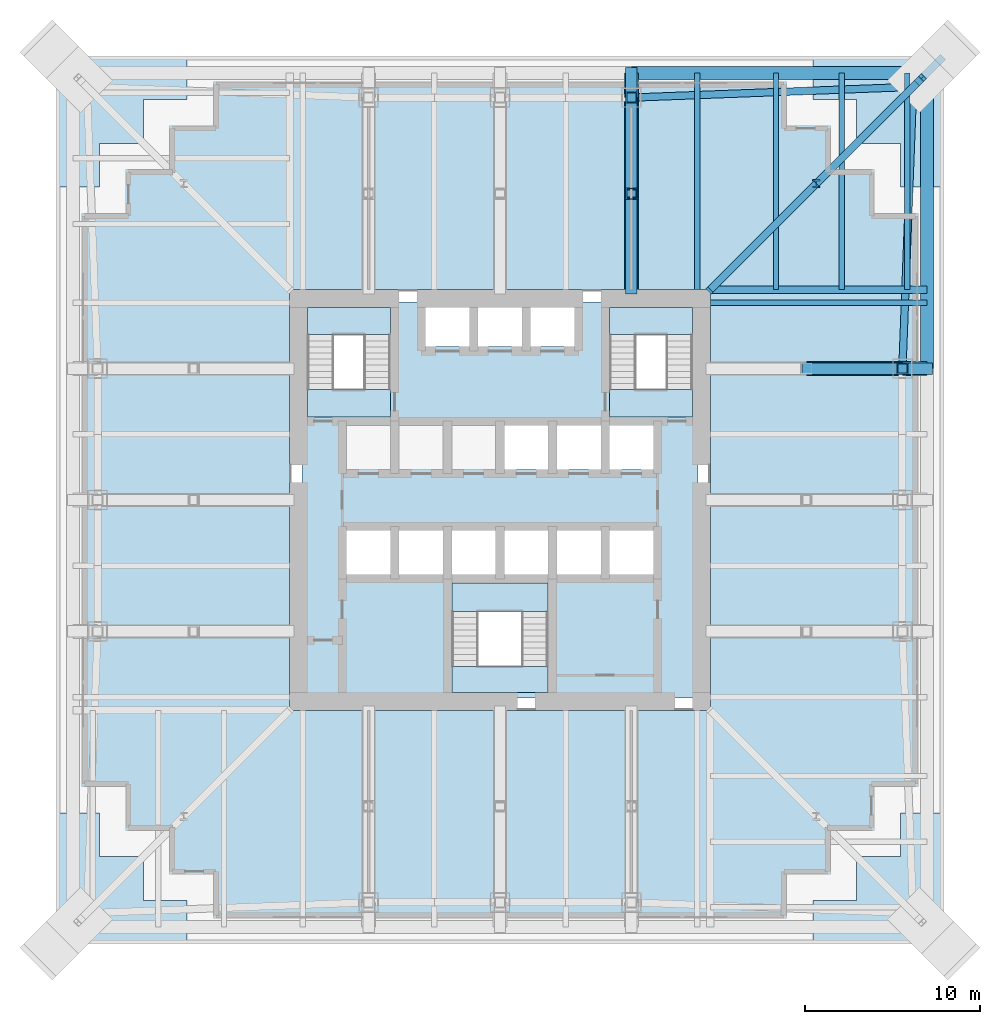
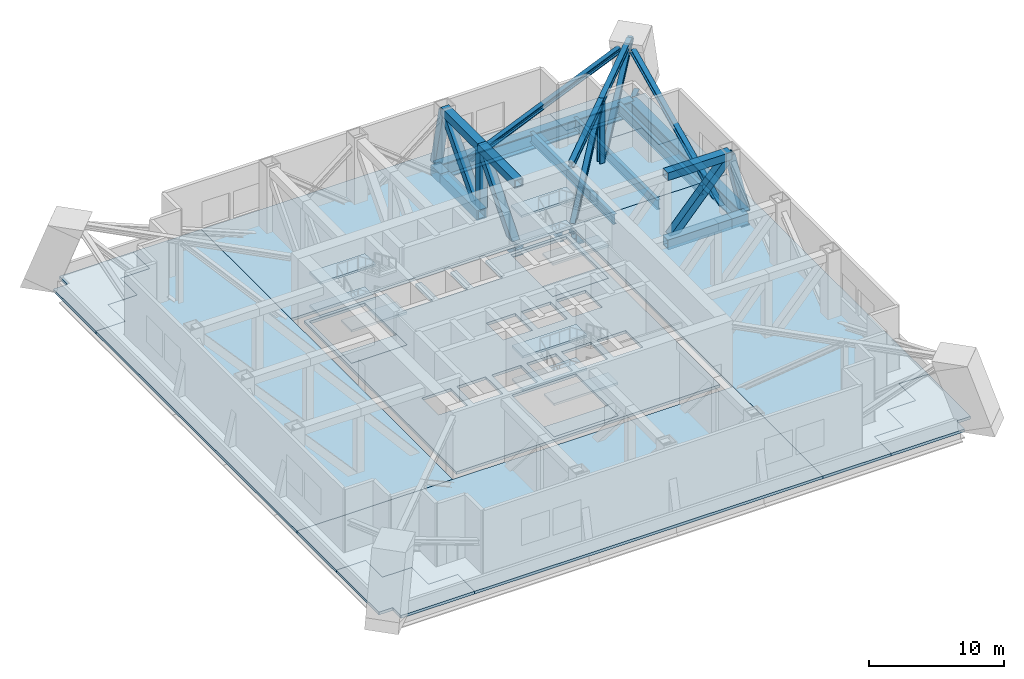
# One storey, part 4 of 10: 23 members, 21 slabs, 8 beams, 3 elements without a shape of their own.
"""IFC4 building model written with IfcOpenShell, lengths in metres."""

import ifcopenshell
import ifcopenshell.guid

model = None  # the IFC model being written
_history = None  # IfcOwnerHistory: only IFC2X3 demands one
_inside = {}  # id of a spatial element -> (the spatial element, [elements in it])
_under = {}  # id of a project, library or spatial element -> (it, [spatial elements below it])
_declared = {}  # id of a project -> (the project, [libraries it declares])
_typed = {}  # id of a type object -> (the type object, [elements of that type])
_made_of = {}  # id of a material, layer set ... -> (it, [elements and type objects made of it])


def new_model(schema):
    """Start an empty IFC model of exactly this schema.

    Asked for "IFC4X3", IfcOpenShell would pick the latest addendum, in which some entities
    have other attributes; the version numbers below select the first issue.
    IFC2X3 requires an IfcOwnerHistory on every rooted entity: one is made here for all.
    """
    global model, _history
    if schema == "IFC4X3":
        model = ifcopenshell.file(schema_version=(4, 3, 0, 0))
    else:
        model = ifcopenshell.file(schema=schema)
    _inside.clear()
    _under.clear()
    _declared.clear()
    _typed.clear()
    _made_of.clear()
    _history = None
    if model.schema == "IFC2X3":
        org = make("IfcOrganization", Name="unknown")
        user = make(
            "IfcPersonAndOrganization",
            ThePerson=make("IfcPerson", FamilyName="unknown"),
            TheOrganization=org,
        )
        app = make(
            "IfcApplication",
            ApplicationDeveloper=org,
            Version="unknown",
            ApplicationFullName="unknown",
            ApplicationIdentifier="unknown",
        )
        _history = make(
            "IfcOwnerHistory",
            OwningUser=user,
            OwningApplication=app,
            ChangeAction="ADDED",
            CreationDate=0,
        )
    return model


def make(cls, **values):
    """One entity of the class cls with the attributes given. An attribute that is None is left unset."""
    return model.create_entity(
        cls, **{name: value for name, value in values.items() if value is not None}
    )


def rooted(cls, **values):
    """An entity with a GlobalId (a new one), such as an element, a storey or a relation."""
    return make(cls, GlobalId=ifcopenshell.guid.new(), OwnerHistory=_history, **values)


def si_unit(unit_type, name, prefix=None):
    """IfcSIUnit, for example si_unit("LENGTHUNIT", "METRE", prefix="MILLI")."""
    return make("IfcSIUnit", UnitType=unit_type, Prefix=prefix, Name=name)


def assignment(units):
    """IfcUnitAssignment: the units of a project."""
    return None if units is None else make("IfcUnitAssignment", Units=units)


def point(xyz):
    """IfcCartesianPoint."""
    return None if xyz is None else make("IfcCartesianPoint", Coordinates=xyz)


def direction(xyz):
    """IfcDirection."""
    return None if xyz is None else make("IfcDirection", DirectionRatios=xyz)


def frame(location, z_axis=None, x_axis=None):
    """IfcAxis2Placement3D, a coordinate frame: its origin and axes. An axis left out is left unset."""
    return make(
        "IfcAxis2Placement3D",
        Location=point(location),
        Axis=direction(z_axis),
        RefDirection=direction(x_axis),
    )


def frame_2d(location, x_axis=None):
    """IfcAxis2Placement2D, a coordinate frame in the plane: its origin and x axis."""
    return make(
        "IfcAxis2Placement2D", Location=point(location), RefDirection=direction(x_axis)
    )


def origin():
    """The frame at (0, 0, 0) with its axes left unset."""
    return frame((0.0, 0.0, 0.0))


def origin_2d():
    """The frame at (0, 0) in the plane with its x axis left unset."""
    return frame_2d((0.0, 0.0))


def place(relative_to, where):
    """IfcLocalPlacement: puts the frame where relative to a parent placement (None: the world)."""
    return make(
        "IfcLocalPlacement", PlacementRelTo=relative_to, RelativePlacement=where
    )


def context(
    kind, dimensions, precision=None, world=None, true_north=None, identifier=None
):
    """IfcGeometricRepresentationContext, for example the 3D "Model" context."""
    return make(
        "IfcGeometricRepresentationContext",
        ContextIdentifier=identifier,
        ContextType=kind,
        CoordinateSpaceDimension=dimensions,
        Precision=precision,
        WorldCoordinateSystem=world,
        TrueNorth=true_north,
    )


def subcontext(parent, identifier, kind, view, scale=None):
    """IfcGeometricRepresentationSubContext, for example "Body" below "Model"."""
    return make(
        "IfcGeometricRepresentationSubContext",
        ContextIdentifier=identifier,
        ContextType=kind,
        ParentContext=parent,
        TargetScale=scale,
        TargetView=view,
    )


def project(units=None, contexts=None):
    """IfcProject with its units and contexts."""
    return rooted(
        "IfcProject",
        Name="project",
        RepresentationContexts=contexts,
        UnitsInContext=assignment(units),
    )


def spatial(cls, under=None, at=None, **own):
    """A site, building, storey or space (cls), placed at a placement, below another one or the project."""
    s = rooted(cls, ObjectPlacement=at, **own)
    if under is not None:
        _under.setdefault(under.id(), (under, []))[1].append(s)
    return s


def polyline(points):
    """IfcPolyline through the points."""
    return make("IfcPolyline", Points=[point(p) for p in points])


def profile(cls, at=None, kind="AREA", **sizes):
    """A parametric profile (cls). Its sizes go by their IFC names, for example OverallWidth=200.0."""
    return make(cls, ProfileType=kind, Position=at, **sizes)


def hollow_rectangle(**sizes):
    """IfcRectangleHollowProfileDef."""
    return profile("IfcRectangleHollowProfileDef", **sizes)


def i_section(**sizes):
    """IfcIShapeProfileDef."""
    return profile("IfcIShapeProfileDef", **sizes)


def outline(outer, holes=None, kind="AREA"):
    """IfcArbitraryClosedProfileDef: a profile drawn as a closed curve; with holes, ...WithVoids."""
    if holes is None:
        return make("IfcArbitraryClosedProfileDef", ProfileType=kind, OuterCurve=outer)
    return make(
        "IfcArbitraryProfileDefWithVoids",
        ProfileType=kind,
        OuterCurve=outer,
        InnerCurves=holes,
    )


def extrude(swept, where, along, depth):
    """IfcExtrudedAreaSolid: the profile swept, set in the frame where, extruded along a direction by depth."""
    return make(
        "IfcExtrudedAreaSolid",
        SweptArea=swept,
        Position=where,
        ExtrudedDirection=direction(along),
        Depth=depth,
    )


def clip(a, b, op="DIFFERENCE"):
    """IfcBooleanClippingResult: the solid a cut by the half space b."""
    return make(
        "IfcBooleanClippingResult", Operator=op, FirstOperand=a, SecondOperand=b
    )


def halfspace(plane, agree):
    """IfcHalfSpaceSolid: all space on one side of the plane z = 0 of the frame plane."""
    return make(
        "IfcHalfSpaceSolid",
        BaseSurface=make("IfcPlane", Position=plane),
        AgreementFlag=agree,
    )


def shape(context_of_items, identifier, shape_type, items):
    """IfcShapeRepresentation: the items that make up one representation, for example the "Body"."""
    return make(
        "IfcShapeRepresentation",
        ContextOfItems=context_of_items,
        RepresentationIdentifier=identifier,
        RepresentationType=shape_type,
        Items=items,
    )


def material(Name=None, Category=None):
    """IfcMaterial."""
    return make("IfcMaterial", Name=Name, Category=Category)


def layer(
    of_material, thickness, ventilated=None, Name=None, Category=None, Priority=None
):
    """IfcMaterialLayer: one layer of a wall or slab, of a material (None: an air gap)."""
    return make(
        "IfcMaterialLayer",
        Material=of_material,
        LayerThickness=thickness,
        IsVentilated=ventilated,
        Name=Name,
        Category=Category,
        Priority=Priority,
    )


def layer_set(layers, Name=None):
    """IfcMaterialLayerSet."""
    return make("IfcMaterialLayerSet", MaterialLayers=layers, LayerSetName=Name)


def material_profile(
    of_material, cross_section, Name=None, Category=None, Priority=None
):
    """IfcMaterialProfile: a cross section and its material."""
    return make(
        "IfcMaterialProfile",
        Name=Name,
        Material=of_material,
        Profile=cross_section,
        Priority=Priority,
        Category=Category,
    )


def profile_set(profiles, Name=None, composite=None):
    """IfcMaterialProfileSet."""
    return make(
        "IfcMaterialProfileSet",
        Name=Name,
        MaterialProfiles=profiles,
        CompositeProfile=composite,
    )


def made_of(thing, what):
    """Note that an element or type object is made of a material, layer set ...; save() writes the relation."""
    if what is not None:
        _made_of.setdefault(what.id(), (what, []))[1].append(thing)
    return thing


def type_object(cls, material=None, **own):
    """A type object (cls), such as IfcWallType, which elements share."""
    return made_of(rooted(cls, **own), material)


def element(
    cls,
    number,
    at=None,
    inside=None,
    cuts=None,
    type_object=None,
    material=None,
    context=None,
    identifier="Body",
    shape_type=None,
    held_by="IfcProductDefinitionShape",
    body=None,
    shapes=None,
    **own,
):
    """One element of the class cls, such as IfcWall. Its Tag is "e" and its number.

    at: its placement. inside: the storey or other place that contains it. cuts: it is an
    opening in that element (IfcRelVoidsElement). A single representation is given by context,
    identifier, shape_type and body (its items); several are given by shapes. held_by: the class
    of the entity that holds the representations. save() writes the other relations.
    """
    e = rooted(cls, Tag="e%d" % number, ObjectPlacement=at, **own)
    if body is not None:
        shapes = [shape(context, identifier, shape_type, body)]
    if shapes is not None:
        e.Representation = make(held_by, Representations=shapes)
    if inside is not None:
        _inside.setdefault(inside.id(), (inside, []))[1].append(e)
    if cuts is not None:
        rooted(
            "IfcRelVoidsElement", RelatingBuildingElement=cuts, RelatedOpeningElement=e
        )
    if type_object is not None:
        _typed.setdefault(type_object.id(), (type_object, []))[1].append(e)
    return made_of(e, material)


def aggregate(whole, parts):
    """IfcRelAggregates: a whole, such as a stair, and the parts it consists of."""
    return rooted("IfcRelAggregates", RelatingObject=whole, RelatedObjects=parts)


def save(model, path):
    """Write the relations noted so far, then the file.

    IfcRelAggregates (storeys below a building ...), IfcRelContainedInSpatialStructure (elements
    in a storey), IfcRelDefinesByType, IfcRelAssociatesMaterial and IfcRelDeclares: one each for
    every whole, place, type object, material and project.
    """
    for whole, parts in _under.values():
        aggregate(whole, parts)
    for where, things in _inside.values():
        rooted(
            "IfcRelContainedInSpatialStructure",
            RelatedElements=things,
            RelatingStructure=where,
        )
    for kind, things in _typed.values():
        rooted("IfcRelDefinesByType", RelatedObjects=things, RelatingType=kind)
    for what, things in _made_of.values():
        rooted("IfcRelAssociatesMaterial", RelatedObjects=things, RelatingMaterial=what)
    for by, libraries in _declared.values():
        rooted("IfcRelDeclares", RelatingContext=by, RelatedDefinitions=libraries)
    model.write(path)


model = new_model("IFC4")

# Units and contexts
model_context = context("Model", 3, precision=1e-05, world=origin(), true_north=direction((0.0, 1.0)))
body_context = subcontext(model_context, "Body", "Model", "MODEL_VIEW")
ifc_project = project(units=[si_unit("LENGTHUNIT", "METRE"), si_unit("AREAUNIT", "SQUARE_METRE"), si_unit("VOLUMEUNIT", "CUBIC_METRE"), si_unit("PLANEANGLEUNIT", "RADIAN"), si_unit("MASSUNIT", "GRAM", prefix="KILO")], contexts=[model_context])

# Site, building, storey
site_placement = place(None, origin())
site = spatial("IfcSite", under=ifc_project, at=site_placement, CompositionType="ELEMENT")
building_placement = place(site_placement, origin())
building = spatial("IfcBuilding", under=site, at=building_placement, Name="Tarangal Relay Tower", CompositionType="ELEMENT")
storey_placement = place(building_placement, frame((0.0, 0.0, 98.39990234375)))
storey = spatial("IfcBuildingStorey", under=building, at=storey_placement, Name="L19", CompositionType="ELEMENT", Elevation=98.39990234375)

# Members
ifc_material_1 = material(Name="Steel ASTM A992", Category="steel")
ifc_material_profile_1 = material_profile(ifc_material_1, i_section(OverallWidth=0.419189453125, OverallDepth=0.45458984375, WebThickness=0.042236328125, FlangeThickness=0.067626953125, at=origin_2d()), Name="W14X370")
ifc_profile_set_1 = profile_set([ifc_material_profile_1], Name="Steel ASTM A992")
member_type_1 = type_object("IfcMemberType", Name="Belt truss brace W14X370", PredefinedType="BRACE", material=ifc_profile_set_1)
for number, where, z_axis, x_axis, name in (
    (1, (7.5, 22.965087890625, -0.699951171875), (0.931502338088, 0.035497655661, 0.36199904776), (-0.038080321546, 0.999274681512, 0.0), "Belt truss N L19 end brace"),
    (2, (22.965087890625, 7.5, -0.699951171875), (0.035497655661, 0.931502338088, 0.36199904776), (-0.999274681512, 0.038080321546, 0.0), "Belt truss E L19 end brace"),
):
    element("IfcMember", number, at=place(storey_placement, frame(where, z_axis=z_axis, x_axis=x_axis)), inside=storey, type_object=member_type_1, Name=name, PredefinedType="BRACE", context=body_context, shape_type="SweptSolid", body=[
        extrude(i_section(OverallWidth=0.419189453125, OverallDepth=0.45458984375, WebThickness=0.042236328125, FlangeThickness=0.067626953125, at=origin_2d()), origin(), (0.0, 0.0, 1.0), 16.478759765625),
    ])

# Beams
ifc_material_profile_2 = material_profile(ifc_material_1, i_section(OverallWidth=0.3046875, OverallDepth=0.911865234375, WebThickness=0.015869140625, FlangeThickness=0.02392578125, at=origin_2d()), Name="W36X150")
ifc_profile_set_2 = profile_set([ifc_material_profile_2], Name="Steel ASTM A992")
beam_type_1 = type_object("IfcBeamType", Name="Corner beam W36X150", PredefinedType="JOIST", material=ifc_profile_set_2)
for number, where, z_axis, x_axis, name in (
    (3, (15.75, 12.0, -0.705810546875), (0.0, 1.0, 0.0), (-1.0, 0.0, 0.0), "Corner beam CB7 N L19"),
    (4, (19.5, 12.0, -0.705810546875), (0.0, 1.0, 0.0), (-1.0, 0.0, 0.0), "Corner beam CB7 N L19"),
    (5, (23.25, 12.0, -0.705810546875), (0.0, 1.0, 0.0), (-1.0, 0.0, 0.0), "Corner beam CB7 N L19"),
):
    element("IfcBeam", number, at=place(storey_placement, frame(where, z_axis=z_axis, x_axis=x_axis)), inside=storey, type_object=beam_type_1, Name=name, PredefinedType="JOIST", context=body_context, shape_type="SweptSolid", body=[
        extrude(i_section(OverallWidth=0.3046875, OverallDepth=0.911865234375, WebThickness=0.015869140625, FlangeThickness=0.02392578125, at=origin_2d()), origin(), (0.0, 0.0, 1.0), 12.364990234375),
    ])
ifc_material_profile_3 = material_profile(ifc_material_1, i_section(OverallWidth=0.40380859375, OverallDepth=1.036376953125, WebThickness=0.031005859375, FlangeThickness=0.0458984375, at=origin_2d()), Name="W40X331")
ifc_profile_set_3 = profile_set([ifc_material_profile_3], Name="Steel ASTM A992")
beam_type_2 = type_object("IfcBeamType", Name="Corner girder W40X331", PredefinedType="BEAM", material=ifc_profile_set_3)
beam_placement = place(storey_placement, frame((12.0, 12.0, -0.76806640625), z_axis=(1.0, 0.0, 0.0), x_axis=(0.0, 1.0, 0.0)))
element("IfcBeam", 6, at=beam_placement, inside=storey, type_object=beam_type_2, Name="Corner girder CG2 N L19", PredefinedType="BEAM", context=body_context, shape_type="SweptSolid", body=[
    extrude(i_section(OverallWidth=0.40380859375, OverallDepth=1.036376953125, WebThickness=0.031005859375, FlangeThickness=0.0458984375, at=origin_2d()), origin(), (0.0, 0.0, 1.0), 12.364990234375),
])
ifc_material_2 = material(Name="Steel ASTM A572 Grade 50", Category="steel")
ifc_material_profile_4 = material_profile(ifc_material_2, i_section(OverallWidth=0.75, OverallDepth=1.39990234375, WebThickness=0.030029296875, FlangeThickness=0.10009765625, at=origin_2d()), Name="PG1400X750X100X30")
ifc_profile_set_4 = profile_set([ifc_material_profile_4], Name="Steel ASTM A572 Grade 50")
beam_type_3 = type_object("IfcBeamType", Name="Edge girder PG1400X750X100X30", PredefinedType="SPANDREL", material=ifc_profile_set_4)
for number, where, z_axis, x_axis, name in (
    (7, (7.5, 24.364990234375, -0.949951171875), (1.0, 0.0, 0.0), (0.0, 1.0, 0.0), "Edge girder EG11 N L19"),
    (8, (24.364990234375, 24.35009765625, -0.949951171875), (0.0, -1.0, 0.0), (1.0, 0.0, 0.0), "Edge girder EG11 E L19"),
):
    element("IfcBeam", number, at=place(storey_placement, frame(where, z_axis=z_axis, x_axis=x_axis)), inside=storey, type_object=beam_type_3, Name=name, PredefinedType="SPANDREL", context=body_context, shape_type="SweptSolid", body=[
        extrude(i_section(OverallWidth=0.75, OverallDepth=1.39990234375, WebThickness=0.030029296875, FlangeThickness=0.10009765625, at=origin_2d()), origin(), (0.0, 0.0, 1.0), 16.85009765625),
    ])
ifc_material_profile_5 = material_profile(ifc_material_1, i_section(OverallWidth=0.307373046875, OverallDepth=0.927001953125, WebThickness=0.019287109375, FlangeThickness=0.031982421875, at=origin_2d()), Name="W36X194")
ifc_profile_set_5 = profile_set([ifc_material_profile_5], Name="Steel ASTM A992")
beam_type_4 = type_object("IfcBeamType", Name="Floor beam W36X194", PredefinedType="BEAM", material=ifc_profile_set_5)
for number, where, z_axis, x_axis, name in (
    (9, (11.25, 12.0, -0.71337890625), (0.0, 1.0, 0.0), (-1.0, 0.0, 0.0), "Floor beam RB6 N L19"),
    (10, (12.0, 11.25, -0.71337890625), (1.0, 0.0, 0.0), (0.0, 1.0, 0.0), "Floor beam RB6 E L19"),
):
    element("IfcBeam", number, at=place(storey_placement, frame(where, z_axis=z_axis, x_axis=x_axis)), inside=storey, type_object=beam_type_4, Name=name, PredefinedType="BEAM", context=body_context, shape_type="SweptSolid", body=[
        extrude(i_section(OverallWidth=0.307373046875, OverallDepth=0.927001953125, WebThickness=0.019287109375, FlangeThickness=0.031982421875, at=origin_2d()), origin(), (0.0, 0.0, 1.0), 12.364990234375),
    ])

# Members
ifc_material_profile_6 = material_profile(ifc_material_1, i_section(OverallWidth=0.4267578125, OverallDepth=0.482666015625, WebThickness=0.05126953125, FlangeThickness=0.08154296875, at=origin_2d()), Name="W14X455")
ifc_profile_set_6 = profile_set([ifc_material_profile_6], Name="Steel ASTM A992")
member_type_2 = type_object("IfcMemberType", Name="Outrigger chord W14X455", PredefinedType="CHORD", material=ifc_profile_set_6)
member_1_placement = place(storey_placement, frame((12.0, 12.0, -0.4912109375), z_axis=(0.707106781187, 0.707106781187, 0.0), x_axis=(-0.707106781187, 0.707106781187, 0.0)))
element("IfcMember", 11, at=member_1_placement, inside=storey, type_object=member_type_2, Name="Outrigger NE L19 bottom chord", PredefinedType="CHORD", context=body_context, shape_type="SweptSolid", body=[
    extrude(i_section(OverallWidth=0.4267578125, OverallDepth=0.482666015625, WebThickness=0.05126953125, FlangeThickness=0.08154296875, at=origin_2d()), origin(), (0.0, 0.0, 1.0), 8.563232421875),
])
member_2_placement = place(storey_placement, frame((18.05517578125, 18.05517578125, -0.4912109375), z_axis=(0.707106781187, 0.707106781187, 0.0), x_axis=(-0.707106781187, 0.707106781187, 0.0)))
element("IfcMember", 12, at=member_2_placement, inside=storey, type_object=member_type_2, Name="Outrigger NE L19 bottom chord", PredefinedType="CHORD", context=body_context, shape_type="Clipping", body=[
    clip(extrude(i_section(OverallWidth=0.4267578125, OverallDepth=0.482666015625, WebThickness=0.05126953125, FlangeThickness=0.08154296875, at=origin_2d()), origin(), (0.0, 0.0, 1.0), 10.528564453125), halfspace(frame((0.0, 0.0, 10.23046875)), False)),
])
member_3_placement = place(storey_placement, frame((12.0, 12.0, 5.558837890625), z_axis=(0.707106781187, 0.707106781187, 0.0), x_axis=(-0.707106781187, 0.707106781187, 0.0)))
element("IfcMember", 13, at=member_3_placement, inside=storey, type_object=member_type_2, Name="Outrigger NE L19 top chord", PredefinedType="CHORD", context=body_context, shape_type="SweptSolid", body=[
    extrude(i_section(OverallWidth=0.4267578125, OverallDepth=0.482666015625, WebThickness=0.05126953125, FlangeThickness=0.08154296875, at=origin_2d()), origin(), (0.0, 0.0, 1.0), 8.563232421875),
])
member_4_placement = place(storey_placement, frame((18.05517578125, 18.05517578125, 5.558837890625), z_axis=(0.707106781187, 0.707106781187, 0.0), x_axis=(-0.707106781187, 0.707106781187, 0.0)))
element("IfcMember", 14, at=member_4_placement, inside=storey, type_object=member_type_2, Name="Outrigger NE L19 top chord", PredefinedType="CHORD", context=body_context, shape_type="Clipping", body=[
    clip(extrude(i_section(OverallWidth=0.4267578125, OverallDepth=0.482666015625, WebThickness=0.05126953125, FlangeThickness=0.08154296875, at=origin_2d()), origin(), (0.0, 0.0, 1.0), 8.563232421875), halfspace(frame((0.0, 0.0, 8.109130859375)), False)),
])
ifc_material_profile_7 = material_profile(ifc_material_1, i_section(OverallWidth=0.41650390625, OverallDepth=0.444580078125, WebThickness=0.0390625, FlangeThickness=0.062744140625, at=origin_2d()), Name="W14X342")
ifc_profile_set_7 = profile_set([ifc_material_profile_7], Name="Steel ASTM A992")
member_type_3 = type_object("IfcMemberType", Name="Outrigger web W14X342", PredefinedType="STRUT", material=ifc_profile_set_7)
member_5_placement = place(storey_placement, frame((18.05517578125, 18.05517578125, -0.4912109375), z_axis=(0.0, 0.0, 1.0), x_axis=(1.0, 0.0, 0.0)))
element("IfcMember", 15, at=member_5_placement, inside=storey, type_object=member_type_3, Name="Outrigger NE L19 vertical", PredefinedType="STRUT", context=body_context, shape_type="SweptSolid", body=[
    extrude(i_section(OverallWidth=0.41650390625, OverallDepth=0.444580078125, WebThickness=0.0390625, FlangeThickness=0.062744140625, at=origin_2d()), origin(), (0.0, 0.0, 1.0), 6.050048828125),
])
for number, where, z_axis, x_axis, name in (
    (16, (12.0, 12.0, -0.4912109375), (0.577513217792, 0.577513217792, 0.577024233937), (-0.707106781187, 0.707106781187, 0.0), "Outrigger NE L19 diagonal"),
    (17, (18.05517578125, 18.05517578125, -0.4912109375), (0.577513217792, 0.577513217792, 0.577024233937), (-0.707106781187, 0.707106781187, 0.0), "Outrigger NE L19 diagonal"),
):
    element("IfcMember", number, at=place(storey_placement, frame(where, z_axis=z_axis, x_axis=x_axis)), inside=storey, type_object=member_type_3, Name=name, PredefinedType="STRUT", context=body_context, shape_type="SweptSolid", body=[
        extrude(i_section(OverallWidth=0.41650390625, OverallDepth=0.444580078125, WebThickness=0.0390625, FlangeThickness=0.062744140625, at=origin_2d()), origin(), (0.0, 0.0, 1.0), 10.48486328125),
    ])
ifc_material_3 = material(Name="Steel ASTM A572 Grade 42", Category="steel")
ifc_material_profile_8 = material_profile(ifc_material_3, hollow_rectangle(XDim=0.800048828125, YDim=0.89990234375, WallThickness=0.125, at=origin_2d()), Name="BOX900X800X125")
ifc_profile_set_8 = profile_set([ifc_material_profile_8], Name="Steel ASTM A572 Grade 42")
member_type_4 = type_object("IfcMemberType", Name="Transfer truss chord BOX900X800X125", PredefinedType="CHORD", material=ifc_profile_set_8)
member_6_placement = place(storey_placement, frame((7.5, 12.0, -0.699951171875), z_axis=(0.0, 1.0, 0.0), x_axis=(-1.0, 0.0, 0.0)))
element("IfcMember", 18, at=member_6_placement, inside=storey, type_object=member_type_4, Name="Transfer truss N +7.5 L19 bottom chord", PredefinedType="CHORD", context=body_context, shape_type="SweptSolid", body=[
    extrude(hollow_rectangle(XDim=0.800048828125, YDim=0.89990234375, WallThickness=0.125, at=origin_2d()), origin(), (0.0, 0.0, 1.0), 5.482421875),
])
member_7_placement = place(storey_placement, frame((7.5, 17.482421875, -0.699951171875), z_axis=(0.0, 1.0, 0.0), x_axis=(-1.0, 0.0, 0.0)))
element("IfcMember", 19, at=member_7_placement, inside=storey, type_object=member_type_4, Name="Transfer truss N +7.5 L19 bottom chord", PredefinedType="CHORD", context=body_context, shape_type="SweptSolid", body=[
    extrude(hollow_rectangle(XDim=0.800048828125, YDim=0.89990234375, WallThickness=0.125, at=origin_2d()), origin(), (0.0, 0.0, 1.0), 5.482666015625),
])
member_8_placement = place(storey_placement, frame((7.5, 22.965087890625, -0.699951171875), z_axis=(0.0, 1.0, 0.0), x_axis=(-1.0, 0.0, 0.0)))
element("IfcMember", 20, at=member_8_placement, inside=storey, type_object=member_type_4, Name="Transfer truss N +7.5 L19 bottom chord", PredefinedType="CHORD", context=body_context, shape_type="SweptSolid", body=[
    extrude(hollow_rectangle(XDim=0.800048828125, YDim=0.89990234375, WallThickness=0.125, at=origin_2d()), origin(), (0.0, 0.0, 1.0), 1.39990234375),
])
member_9_placement = place(storey_placement, frame((17.482421875, 7.5, -0.699951171875), z_axis=(1.0, 0.0, 0.0), x_axis=(0.0, 1.0, 0.0)))
element("IfcMember", 21, at=member_9_placement, inside=storey, type_object=member_type_4, Name="Transfer truss E -7.5 L19 bottom chord", PredefinedType="CHORD", context=body_context, shape_type="SweptSolid", body=[
    extrude(hollow_rectangle(XDim=0.800048828125, YDim=0.89990234375, WallThickness=0.125, at=origin_2d()), origin(), (0.0, 0.0, 1.0), 5.482666015625),
])
member_10_placement = place(storey_placement, frame((22.965087890625, 7.5, -0.699951171875), z_axis=(1.0, 0.0, 0.0), x_axis=(0.0, 1.0, 0.0)))
element("IfcMember", 22, at=member_10_placement, inside=storey, type_object=member_type_4, Name="Transfer truss E -7.5 L19 bottom chord", PredefinedType="CHORD", context=body_context, shape_type="SweptSolid", body=[
    extrude(hollow_rectangle(XDim=0.800048828125, YDim=0.89990234375, WallThickness=0.125, at=origin_2d()), origin(), (0.0, 0.0, 1.0), 1.39990234375),
])
ifc_material_profile_9 = material_profile(ifc_material_2, hollow_rectangle(XDim=0.699951171875, YDim=0.699951171875, WallThickness=0.074951171875, at=origin_2d()), Name="BOX700X700X75")
ifc_profile_set_9 = profile_set([ifc_material_profile_9], Name="Steel ASTM A572 Grade 50")
member_type_5 = type_object("IfcMemberType", Name="Transfer truss top chord BOX700X700X75", PredefinedType="CHORD", material=ifc_profile_set_9)
member_11_placement = place(storey_placement, frame((7.5, 12.0, 5.4501953125), z_axis=(0.0, 1.0, 0.0), x_axis=(-1.0, 0.0, 0.0)))
element("IfcMember", 23, at=member_11_placement, inside=storey, type_object=member_type_5, Name="Transfer truss N +7.5 L19 top chord", PredefinedType="CHORD", context=body_context, shape_type="SweptSolid", body=[
    extrude(hollow_rectangle(XDim=0.699951171875, YDim=0.699951171875, WallThickness=0.074951171875, at=origin_2d()), origin(), (0.0, 0.0, 1.0), 5.482421875),
])
for number, where, z_axis, x_axis, name in (
    (24, (7.5, 17.482421875, 5.4501953125), (0.0, 1.0, 0.0), (-1.0, 0.0, 0.0), "Transfer truss N +7.5 L19 top chord"),
    (25, (17.482421875, 7.5, 5.4501953125), (1.0, 0.0, 0.0), (0.0, 1.0, 0.0), "Transfer truss E -7.5 L19 top chord"),
):
    element("IfcMember", number, at=place(storey_placement, frame(where, z_axis=z_axis, x_axis=x_axis)), inside=storey, type_object=member_type_5, Name=name, PredefinedType="CHORD", context=body_context, shape_type="SweptSolid", body=[
        extrude(hollow_rectangle(XDim=0.699951171875, YDim=0.699951171875, WallThickness=0.074951171875, at=origin_2d()), origin(), (0.0, 0.0, 1.0), 5.482666015625),
    ])
ifc_material_profile_10 = material_profile(ifc_material_2, hollow_rectangle(XDim=0.64990234375, YDim=0.64990234375, WallThickness=0.06005859375, at=origin_2d()), Name="BOX650X650X60")
ifc_profile_set_10 = profile_set([ifc_material_profile_10], Name="Steel ASTM A572 Grade 50")
member_type_6 = type_object("IfcMemberType", Name="Transfer truss web BOX650X650X60", PredefinedType="STRUT", material=ifc_profile_set_10)
member_12_placement = place(storey_placement, frame((7.5, 17.482421875, -0.25), z_axis=(0.0, 0.0, 1.0), x_axis=(1.0, 0.0, 0.0)))
element("IfcMember", 26, at=member_12_placement, inside=storey, type_object=member_type_6, Name="Transfer truss N +7.5 L19 vertical", PredefinedType="STRUT", context=body_context, shape_type="SweptSolid", body=[
    extrude(hollow_rectangle(XDim=0.64990234375, YDim=0.64990234375, WallThickness=0.06005859375, at=origin_2d()), origin(), (0.0, 0.0, 1.0), 5.7001953125),
])
member_13_placement = place(storey_placement, frame((7.5, 12.0, -0.963623046875), z_axis=(0.0, 0.649756611165, 0.760142319732), x_axis=(-1.0, 0.0, 0.0)))
element("IfcMember", 27, at=member_13_placement, inside=storey, type_object=member_type_6, Name="Transfer truss N +7.5 L19 diagonal", PredefinedType="STRUT", context=body_context, shape_type="SweptSolid", body=[
    extrude(hollow_rectangle(XDim=0.64990234375, YDim=0.64990234375, WallThickness=0.06005859375, at=origin_2d()), origin(), (0.0, 0.0, 1.0), 8.437744140625),
])
member_14_placement = place(storey_placement, frame((7.5, 17.482421875, -0.699951171875), z_axis=(0.0, 0.665439087688, 0.746452155584), x_axis=(-1.0, 0.0, 0.0)))
element("IfcMember", 28, at=member_14_placement, inside=storey, type_object=member_type_6, Name="Transfer truss N +7.5 L19 diagonal", PredefinedType="STRUT", context=body_context, shape_type="SweptSolid", body=[
    extrude(hollow_rectangle(XDim=0.64990234375, YDim=0.64990234375, WallThickness=0.06005859375, at=origin_2d()), origin(), (0.0, 0.0, 1.0), 8.2392578125),
])
member_15_placement = place(storey_placement, frame((7.5, 24.364990234375, -0.699951171875), z_axis=(0.0, -0.221943976449, 0.975059419378), x_axis=(1.0, 0.0, 0.0)))
element("IfcMember", 29, at=member_15_placement, inside=storey, type_object=member_type_6, Name="Transfer truss N +7.5 L19 end diagonal", PredefinedType="STRUT", context=body_context, shape_type="SweptSolid", body=[
    extrude(hollow_rectangle(XDim=0.64990234375, YDim=0.64990234375, WallThickness=0.06005859375, at=origin_2d()), origin(), (0.0, 0.0, 1.0), 6.307373046875),
])
member_16_placement = place(storey_placement, frame((17.482421875, 7.5, -0.699951171875), z_axis=(0.665439087688, 0.0, 0.746452155584), x_axis=(0.0, 1.0, 0.0)))
element("IfcMember", 30, at=member_16_placement, inside=storey, type_object=member_type_6, Name="Transfer truss E -7.5 L19 diagonal", PredefinedType="STRUT", context=body_context, shape_type="SweptSolid", body=[
    extrude(hollow_rectangle(XDim=0.64990234375, YDim=0.64990234375, WallThickness=0.06005859375, at=origin_2d()), origin(), (0.0, 0.0, 1.0), 8.2392578125),
])
member_17_placement = place(storey_placement, frame((24.364990234375, 7.5, -0.699951171875), z_axis=(-0.221943976449, 0.0, 0.975059419378), x_axis=(0.0, -1.0, 0.0)))
element("IfcMember", 31, at=member_17_placement, inside=storey, type_object=member_type_6, Name="Transfer truss E -7.5 L19 end diagonal", PredefinedType="STRUT", context=body_context, shape_type="SweptSolid", body=[
    extrude(hollow_rectangle(XDim=0.64990234375, YDim=0.64990234375, WallThickness=0.06005859375, at=origin_2d()), origin(), (0.0, 0.0, 1.0), 6.307373046875),
])

# Slabs
ifc_material_4 = material(Name="Concrete fc' 35 MPa", Category="concrete")
ifc_layer_1 = layer(ifc_material_4, 0.25)
ifc_layer_set_1 = layer_set([ifc_layer_1], Name="Core floor slab 250")
slab_type_1 = type_object("IfcSlabType", Name="Core floor slab 250", PredefinedType="FLOOR", material=ifc_layer_set_1)
slab_1_placement = place(storey_placement, frame((0.0, 0.0, -0.25)))
element("IfcSlab", 32, at=slab_1_placement, inside=storey, type_object=slab_type_1, Name="Core floor slab L19", PredefinedType="FLOOR", context=body_context, shape_type="SweptSolid", body=[
    extrude(outline(polyline([(11.300048828125, 11.300048828125), (11.300048828125, -11.300048828125), (-11.300048828125, -11.300048828125), (-11.300048828125, 11.300048828125), (-4.25, 11.300048828125), (-4.25, 8.75), (-1.75, 8.75), (-1.75, 11.300048828125), (-1.25, 11.300048828125), (-1.25, 8.75), (1.25, 8.75), (1.25, 11.300048828125), (1.75, 11.300048828125), (1.75, 8.75), (4.25, 8.75), (4.25, 11.300048828125), (11.300048828125, 11.300048828125)]), holes=[polyline([(2.75, -4.75), (-2.75, -4.75), (-2.75, -11.0), (2.75, -11.0), (2.75, -4.75)]), polyline([(-6.25, -4.25), (-6.25, -1.75), (-8.75, -1.75), (-8.75, -4.25), (-6.25, -4.25)]), polyline([(-3.25, -4.25), (-3.25, -1.75), (-5.75, -1.75), (-5.75, -4.25), (-3.25, -4.25)]), polyline([(-0.25, -4.25), (-0.25, -1.75), (-2.75, -1.75), (-2.75, -4.25), (-0.25, -4.25)]), polyline([(2.75, 1.75), (2.75, 4.25), (0.25, 4.25), (0.25, 1.75), (2.75, 1.75)]), polyline([(-6.25, 4.75), (-6.25, 11.0), (-11.0, 11.0), (-11.0, 4.75), (-6.25, 4.75)]), polyline([(2.75, -4.25), (2.75, -1.75), (0.25, -1.75), (0.25, -4.25), (2.75, -4.25)]), polyline([(5.75, -4.25), (5.75, -1.75), (3.25, -1.75), (3.25, -4.25), (5.75, -4.25)]), polyline([(8.75, -4.25), (8.75, -1.75), (6.25, -1.75), (6.25, -4.25), (8.75, -4.25)]), polyline([(5.75, 1.75), (5.75, 4.25), (3.25, 4.25), (3.25, 1.75), (5.75, 1.75)]), polyline([(8.75, 1.75), (8.75, 4.25), (6.25, 4.25), (6.25, 1.75), (8.75, 1.75)]), polyline([(11.0, 4.75), (11.0, 11.0), (6.25, 11.0), (6.25, 4.75), (11.0, 4.75)])]), origin(), (0.0, 0.0, 1.0), 0.25),
])
ifc_layer_2 = layer(ifc_material_4, 0.25)
ifc_layer_set_2 = layer_set([ifc_layer_2], Name="Floor slab 250")
slab_type_2 = type_object("IfcSlabType", Name="Floor slab 250", PredefinedType="FLOOR", material=ifc_layer_set_2)
slab_2_placement = place(storey_placement, frame((0.0, 0.0, -0.25)))
element("IfcSlab", 33, at=slab_2_placement, inside=storey, type_object=slab_type_2, Name="Floor slab FS1 L19 north bay", PredefinedType="FLOOR", context=body_context, shape_type="SweptSolid", body=[
    extrude(outline(polyline([(17.85009765625, 25.35009765625), (17.85009765625, 22.85009765625), (20.35009765625, 22.85009765625), (20.35009765625, 20.35009765625), (22.85009765625, 20.35009765625), (22.85009765625, 17.85009765625), (25.35009765625, 17.85009765625), (25.35009765625, 12.0), (-12.0, 12.0), (-12.0, 25.35009765625), (17.85009765625, 25.35009765625)])), origin(), (0.0, 0.0, 1.0), 0.25),
])
slab_3_placement = place(storey_placement, frame((0.0, 0.0, -0.25)))
element("IfcSlab", 34, at=slab_3_placement, inside=storey, type_object=slab_type_2, Name="Floor slab FS1 L19 east bay", PredefinedType="FLOOR", context=body_context, shape_type="SweptSolid", body=[
    extrude(outline(polyline([(25.35009765625, -17.85009765625), (22.85009765625, -17.85009765625), (22.85009765625, -20.35009765625), (20.35009765625, -20.35009765625), (20.35009765625, -22.85009765625), (17.85009765625, -22.85009765625), (17.85009765625, -25.35009765625), (12.0, -25.35009765625), (12.0, 12.0), (25.35009765625, 12.0), (25.35009765625, -17.85009765625)])), origin(), (0.0, 0.0, 1.0), 0.25),
])
slab_4_placement = place(storey_placement, frame((0.0, 0.0, -0.25)))
element("IfcSlab", 35, at=slab_4_placement, inside=storey, type_object=slab_type_2, Name="Floor slab FS1 L19 south bay", PredefinedType="FLOOR", context=body_context, shape_type="SweptSolid", body=[
    extrude(outline(polyline([(-17.85009765625, -25.35009765625), (-17.85009765625, -22.85009765625), (-20.35009765625, -22.85009765625), (-20.35009765625, -20.35009765625), (-22.85009765625, -20.35009765625), (-22.85009765625, -17.85009765625), (-25.35009765625, -17.85009765625), (-25.35009765625, -12.0), (12.0, -12.0), (12.0, -25.35009765625), (-17.85009765625, -25.35009765625)])), origin(), (0.0, 0.0, 1.0), 0.25),
])
slab_5_placement = place(storey_placement, frame((0.0, 0.0, -0.25)))
element("IfcSlab", 36, at=slab_5_placement, inside=storey, type_object=slab_type_2, Name="Floor slab FS1 L19 west bay", PredefinedType="FLOOR", context=body_context, shape_type="SweptSolid", body=[
    extrude(outline(polyline([(-12.0, 25.35009765625), (-12.0, -12.0), (-25.35009765625, -12.0), (-25.35009765625, 17.85009765625), (-22.85009765625, 17.85009765625), (-22.85009765625, 20.35009765625), (-20.35009765625, 20.35009765625), (-20.35009765625, 22.85009765625), (-17.85009765625, 22.85009765625), (-17.85009765625, 25.35009765625), (-12.0, 25.35009765625)])), origin(), (0.0, 0.0, 1.0), 0.25),
])
ifc_layer_3 = layer(ifc_material_4, 0.25)
ifc_layer_set_3 = layer_set([ifc_layer_3], Name="Ledge slab 250")
slab_type_3 = type_object("IfcSlabType", Name="Ledge slab 250", PredefinedType="FLOOR", material=ifc_layer_set_3)
slab_6_placement = place(storey_placement, frame((0.0, 0.0, -0.25)))
element("IfcSlab", 37, at=slab_6_placement, inside=storey, type_object=slab_type_3, Name="Corner ledge NE L19", PredefinedType="FLOOR", context=body_context, shape_type="SweptSolid", body=[
    extrude(outline(polyline([(17.85009765625, 25.35009765625), (17.85009765625, 22.85009765625), (20.35009765625, 22.85009765625), (20.35009765625, 20.35009765625), (22.85009765625, 20.35009765625), (22.85009765625, 17.85009765625), (25.35009765625, 17.85009765625), (25.35009765625, 24.14990234375), (24.14990234375, 24.14990234375), (24.14990234375, 25.35009765625), (17.85009765625, 25.35009765625)])), origin(), (0.0, 0.0, 1.0), 0.25),
])
slab_7_placement = place(storey_placement, frame((0.0, 0.0, -0.25)))
element("IfcSlab", 38, at=slab_7_placement, inside=storey, type_object=slab_type_3, Name="Corner ledge SE L19", PredefinedType="FLOOR", context=body_context, shape_type="SweptSolid", body=[
    extrude(outline(polyline([(25.35009765625, -17.85009765625), (22.85009765625, -17.85009765625), (22.85009765625, -20.35009765625), (20.35009765625, -20.35009765625), (20.35009765625, -22.85009765625), (17.85009765625, -22.85009765625), (17.85009765625, -25.35009765625), (24.14990234375, -25.35009765625), (24.14990234375, -24.14990234375), (25.35009765625, -24.14990234375), (25.35009765625, -17.85009765625)])), origin(), (0.0, 0.0, 1.0), 0.25),
])
slab_8_placement = place(storey_placement, frame((0.0, 0.0, -0.25)))
element("IfcSlab", 39, at=slab_8_placement, inside=storey, type_object=slab_type_3, Name="Corner ledge SW L19", PredefinedType="FLOOR", context=body_context, shape_type="SweptSolid", body=[
    extrude(outline(polyline([(-17.85009765625, -25.35009765625), (-17.85009765625, -22.85009765625), (-20.35009765625, -22.85009765625), (-20.35009765625, -20.35009765625), (-22.85009765625, -20.35009765625), (-22.85009765625, -17.85009765625), (-25.35009765625, -17.85009765625), (-25.35009765625, -24.14990234375), (-24.14990234375, -24.14990234375), (-24.14990234375, -25.35009765625), (-17.85009765625, -25.35009765625)])), origin(), (0.0, 0.0, 1.0), 0.25),
])
slab_9_placement = place(storey_placement, frame((0.0, 0.0, -0.25)))
element("IfcSlab", 40, at=slab_9_placement, inside=storey, type_object=slab_type_3, Name="Corner ledge NW L19", PredefinedType="FLOOR", context=body_context, shape_type="SweptSolid", body=[
    extrude(outline(polyline([(-25.35009765625, 17.85009765625), (-22.85009765625, 17.85009765625), (-22.85009765625, 20.35009765625), (-20.35009765625, 20.35009765625), (-20.35009765625, 22.85009765625), (-17.85009765625, 22.85009765625), (-17.85009765625, 25.35009765625), (-24.14990234375, 25.35009765625), (-24.14990234375, 24.14990234375), (-25.35009765625, 24.14990234375), (-25.35009765625, 17.85009765625)])), origin(), (0.0, 0.0, 1.0), 0.25),
])

# Stair, slabs
ifc_material_5 = material(Name="Steel ASTM A992 stair flight", Category="steel")
stair_type = type_object("IfcStairType", Name="Core stair 1500", PredefinedType="HALF_TURN_STAIR", material=ifc_material_5)
stair_1_placement = place(storey_placement, origin())
stair_1 = element("IfcStair", 41, at=stair_1_placement, inside=storey, type_object=stair_type, Name="Stair ST-A L19", PredefinedType="HALF_TURN_STAIR")
ifc_layer_4 = layer(ifc_material_4, 0.199951171875)
ifc_layer_set_4 = layer_set([ifc_layer_4], Name="Stair landing 200")
slab_type_4 = type_object("IfcSlabType", Name="Stair landing 200", PredefinedType="LANDING", material=ifc_layer_set_4)
slab_10_placement = place(storey_placement, frame((0.0, 0.0, -0.199951171875)))
slab_10 = element("IfcSlab", 42, at=slab_10_placement, type_object=slab_type_4, Name="ST-A landing 1", PredefinedType="LANDING", context=body_context, shape_type="SweptSolid", body=[
    extrude(outline(polyline([(-11.0, 4.75), (-6.25, 4.75), (-6.25, 6.300048828125), (-11.0, 6.300048828125), (-11.0, 4.75)])), origin(), (0.0, 0.0, 1.0), 0.199951171875),
])
slab_11_placement = place(storey_placement, frame((0.0, 0.0, 1.300048828125)))
slab_11 = element("IfcSlab", 43, at=slab_11_placement, type_object=slab_type_4, Name="ST-A landing 2", PredefinedType="LANDING", context=body_context, shape_type="SweptSolid", body=[
    extrude(outline(polyline([(-11.0, 9.431884765625), (-6.25, 9.431884765625), (-6.25, 11.0), (-11.0, 11.0), (-11.0, 9.431884765625)])), origin(), (0.0, 0.0, 1.0), 0.199951171875),
])
slab_12_placement = place(storey_placement, frame((0.0, 0.0, 2.800048828125)))
slab_12 = element("IfcSlab", 44, at=slab_12_placement, type_object=slab_type_4, Name="ST-A landing 3", PredefinedType="LANDING", context=body_context, shape_type="SweptSolid", body=[
    extrude(outline(polyline([(-11.0, 4.75), (-6.25, 4.75), (-6.25, 6.300048828125), (-11.0, 6.300048828125), (-11.0, 4.75)])), origin(), (0.0, 0.0, 1.0), 0.199951171875),
])
slab_13_placement = place(storey_placement, frame((0.0, 0.0, 4.300048828125)))
slab_13 = element("IfcSlab", 45, at=slab_13_placement, type_object=slab_type_4, Name="ST-A landing 4", PredefinedType="LANDING", context=body_context, shape_type="SweptSolid", body=[
    extrude(outline(polyline([(-11.0, 9.431884765625), (-6.25, 9.431884765625), (-6.25, 11.0), (-11.0, 11.0), (-11.0, 9.431884765625)])), origin(), (0.0, 0.0, 1.0), 0.199951171875),
])
aggregate(stair_1, [slab_10, slab_11, slab_12, slab_13])

stair_2_placement = place(storey_placement, origin())
stair_2 = element("IfcStair", 46, at=stair_2_placement, inside=storey, type_object=stair_type, Name="Stair ST-B L19", PredefinedType="HALF_TURN_STAIR")
slab_14_placement = place(storey_placement, frame((0.0, 0.0, -0.199951171875)))
slab_14 = element("IfcSlab", 47, at=slab_14_placement, type_object=slab_type_4, Name="ST-B landing 1", PredefinedType="LANDING", context=body_context, shape_type="SweptSolid", body=[
    extrude(outline(polyline([(6.25, 4.75), (11.0, 4.75), (11.0, 6.300048828125), (6.25, 6.300048828125), (6.25, 4.75)])), origin(), (0.0, 0.0, 1.0), 0.199951171875),
])
slab_15_placement = place(storey_placement, frame((0.0, 0.0, 1.300048828125)))
slab_15 = element("IfcSlab", 48, at=slab_15_placement, type_object=slab_type_4, Name="ST-B landing 2", PredefinedType="LANDING", context=body_context, shape_type="SweptSolid", body=[
    extrude(outline(polyline([(6.25, 9.431884765625), (11.0, 9.431884765625), (11.0, 11.0), (6.25, 11.0), (6.25, 9.431884765625)])), origin(), (0.0, 0.0, 1.0), 0.199951171875),
])
slab_16_placement = place(storey_placement, frame((0.0, 0.0, 2.800048828125)))
slab_16 = element("IfcSlab", 49, at=slab_16_placement, type_object=slab_type_4, Name="ST-B landing 3", PredefinedType="LANDING", context=body_context, shape_type="SweptSolid", body=[
    extrude(outline(polyline([(6.25, 4.75), (11.0, 4.75), (11.0, 6.300048828125), (6.25, 6.300048828125), (6.25, 4.75)])), origin(), (0.0, 0.0, 1.0), 0.199951171875),
])
slab_17_placement = place(storey_placement, frame((0.0, 0.0, 4.300048828125)))
slab_17 = element("IfcSlab", 50, at=slab_17_placement, type_object=slab_type_4, Name="ST-B landing 4", PredefinedType="LANDING", context=body_context, shape_type="SweptSolid", body=[
    extrude(outline(polyline([(6.25, 9.431884765625), (11.0, 9.431884765625), (11.0, 11.0), (6.25, 11.0), (6.25, 9.431884765625)])), origin(), (0.0, 0.0, 1.0), 0.199951171875),
])
aggregate(stair_2, [slab_14, slab_15, slab_16, slab_17])

stair_3_placement = place(storey_placement, origin())
stair_3 = element("IfcStair", 51, at=stair_3_placement, inside=storey, type_object=stair_type, Name="Stair ST-C L19", PredefinedType="HALF_TURN_STAIR")
slab_18_placement = place(storey_placement, frame((0.0, 0.0, -0.199951171875)))
slab_18 = element("IfcSlab", 52, at=slab_18_placement, type_object=slab_type_4, Name="ST-C landing 1", PredefinedType="LANDING", context=body_context, shape_type="SweptSolid", body=[
    extrude(outline(polyline([(-2.75, -11.0), (2.75, -11.0), (2.75, -9.5), (-2.75, -9.5), (-2.75, -11.0)])), origin(), (0.0, 0.0, 1.0), 0.199951171875),
])
slab_19_placement = place(storey_placement, frame((0.0, 0.0, 1.300048828125)))
slab_19 = element("IfcSlab", 53, at=slab_19_placement, type_object=slab_type_4, Name="ST-C landing 2", PredefinedType="LANDING", context=body_context, shape_type="SweptSolid", body=[
    extrude(outline(polyline([(-2.75, -6.367919921875), (2.75, -6.367919921875), (2.75, -4.75), (-2.75, -4.75), (-2.75, -6.367919921875)])), origin(), (0.0, 0.0, 1.0), 0.199951171875),
])
slab_20_placement = place(storey_placement, frame((0.0, 0.0, 2.800048828125)))
slab_20 = element("IfcSlab", 54, at=slab_20_placement, type_object=slab_type_4, Name="ST-C landing 3", PredefinedType="LANDING", context=body_context, shape_type="SweptSolid", body=[
    extrude(outline(polyline([(-2.75, -11.0), (2.75, -11.0), (2.75, -9.5), (-2.75, -9.5), (-2.75, -11.0)])), origin(), (0.0, 0.0, 1.0), 0.199951171875),
])
slab_21_placement = place(storey_placement, frame((0.0, 0.0, 4.300048828125)))
slab_21 = element("IfcSlab", 55, at=slab_21_placement, type_object=slab_type_4, Name="ST-C landing 4", PredefinedType="LANDING", context=body_context, shape_type="SweptSolid", body=[
    extrude(outline(polyline([(-2.75, -6.367919921875), (2.75, -6.367919921875), (2.75, -4.75), (-2.75, -4.75), (-2.75, -6.367919921875)])), origin(), (0.0, 0.0, 1.0), 0.199951171875),
])
aggregate(stair_3, [slab_18, slab_19, slab_20, slab_21])

save(model, "model.ifc")
